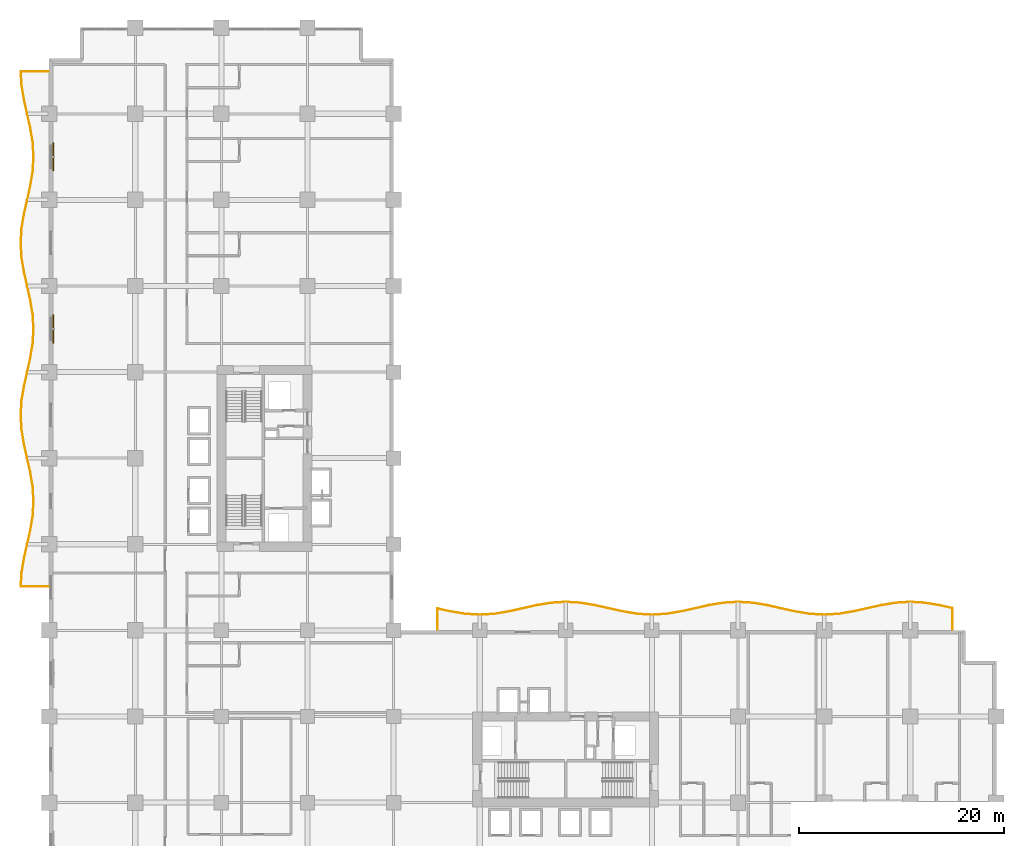
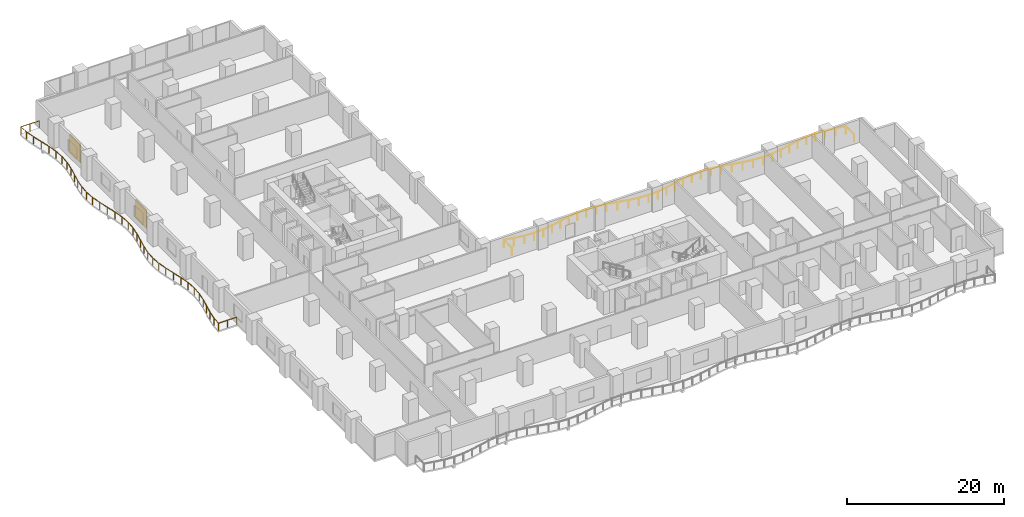
# One storey, part 21 of 21: 2 railings, 2 shading devices.
"""IFC4 building model written with IfcOpenShell, lengths in metres."""

from ifc_helpers import new_model, si_unit, direction, frame, origin, origin_2d, place, context, subcontext, project, spatial, rectangle, circle, extrude, material, layer, layer_set, type_object, element, save


model = new_model("IFC4")

# Units and contexts
model_context = context("Model", 3, precision=1e-05, world=origin(), true_north=direction((0.0, 1.0)))
body_context = subcontext(model_context, "Body", "Model", "MODEL_VIEW")
ifc_project = project(units=[si_unit("LENGTHUNIT", "METRE"), si_unit("AREAUNIT", "SQUARE_METRE"), si_unit("VOLUMEUNIT", "CUBIC_METRE"), si_unit("PLANEANGLEUNIT", "RADIAN"), si_unit("MASSUNIT", "GRAM", prefix="KILO")], contexts=[model_context])

# Site, building, storey
site_placement = place(None, origin())
site = spatial("IfcSite", under=ifc_project, at=site_placement, CompositionType="ELEMENT")
building_placement = place(site_placement, origin())
building = spatial("IfcBuilding", under=site, at=building_placement, Name="Koriwani Terraces Tower", CompositionType="ELEMENT")
storey_placement = place(building_placement, frame((0.0, 0.0, 77.60009765625)))
storey = spatial("IfcBuildingStorey", under=building, at=storey_placement, Name="L18", CompositionType="ELEMENT", Elevation=77.60009765625)

# Railings
ifc_material_1 = material(Name="Steel ASTM A572 Grade 50", Category="steel")
railing_type = type_object("IfcRailingType", Name="GUARD_BALUSTRADE_1150", PredefinedType="BALUSTRADE", material=ifc_material_1)
railing_1_placement = place(storey_placement, frame((-0.080078125, 37.8798828125, 0.0)))
element("IfcRailing", 1, at=railing_1_placement, inside=storey, type_object=railing_type, Name="L18 Balcony Perimeter Safety Balustrade (W)", PredefinedType="BALUSTRADE", context=body_context, shape_type="SweptSolid", body=[
    extrude(circle(Radius=0.02392578125, at=origin_2d()), frame((0.0, 0.0, 1.1259765625), z_axis=(-1.0, 0.0, 0.0), x_axis=(0.0, -1.0, 0.0)), (0.0, 0.0, 1.0), 2.68505859375),
    extrude(circle(Radius=0.02392578125, at=origin_2d()), frame((-2.68505859375, 0.0, 1.1259765625), z_axis=(0.059658953766, 0.998218818314, 0.0), x_axis=(-0.998218818314, 0.059658953766, 0.0)), (0.0, 0.0, 1.0), 1.313720703125),
    extrude(circle(Radius=0.02392578125, at=origin_2d()), frame((-2.606689453125, 1.311279296875, 1.1259765625), z_axis=(0.16131405304, 0.986903124066, 0.0), x_axis=(-0.986903124066, 0.16131405304, 0.0)), (0.0, 0.0, 1.0), 1.412109375),
    extrude(circle(Radius=0.02392578125, at=origin_2d()), frame((-2.37890625, 2.704833984375, 1.1259765625), z_axis=(0.217849413893, 0.975982393728, 0.0), x_axis=(-0.975982393728, 0.217849413893, 0.0)), (0.0, 0.0, 1.0), 2.868896484375),
    extrude(circle(Radius=0.02392578125, at=origin_2d()), frame((-1.75390625, 5.5048828125, 1.1259765625), z_axis=(0.161203411159, 0.986921202645, 0.0), x_axis=(-0.986921202645, 0.161203411159, 0.0)), (0.0, 0.0, 1.0), 1.425048828125),
    extrude(circle(Radius=0.02392578125, at=origin_2d()), frame((-1.524169921875, 6.911376953125, 1.1259765625), z_axis=(0.059685432622, 0.998217235442, 0.0), x_axis=(-0.998217235442, 0.059685432622, 0.0)), (0.0, 0.0, 1.0), 1.4111328125),
    extrude(circle(Radius=0.02392578125, at=origin_2d()), frame((-1.43994140625, 8.320068359375, 1.1259765625), z_axis=(-0.059675127152, 0.998217851573, 0.0), x_axis=(-0.998217851573, -0.059675127152, 0.0)), (0.0, 0.0, 1.0), 1.411376953125),
    extrude(circle(Radius=0.02392578125, at=origin_2d()), frame((-1.524169921875, 9.72900390625, 1.1259765625), z_axis=(-0.161230670401, 0.986916749742, 0.0), x_axis=(-0.986916749742, -0.161230670401, 0.0)), (0.0, 0.0, 1.0), 1.4248046875),
    extrude(circle(Radius=0.02392578125, at=origin_2d()), frame((-1.75390625, 11.13525390625, 1.1259765625), z_axis=(-0.217849413893, 0.975982393728, 0.0), x_axis=(-0.975982393728, -0.217849413893, 0.0)), (0.0, 0.0, 1.0), 2.868896484375),
    extrude(circle(Radius=0.02392578125, at=origin_2d()), frame((-2.37890625, 13.935302734375, 1.1259765625), z_axis=(-0.161286532042, 0.986907622111, 0.0), x_axis=(-0.986907622111, -0.161286532042, 0.0)), (0.0, 0.0, 1.0), 1.412353515625),
    extrude(circle(Radius=0.02392578125, at=origin_2d()), frame((-2.606689453125, 15.3291015625, 1.1259765625), z_axis=(-0.059738678687, 0.998214050326, 0.0), x_axis=(-0.998214050326, -0.059738678687, 0.0)), (0.0, 0.0, 1.0), 1.3935546875),
    extrude(circle(Radius=0.02392578125, at=origin_2d()), frame((-2.68994140625, 16.72021484375, 1.1259765625), z_axis=(0.059738678687, 0.998214050326, 0.0), x_axis=(-0.998214050326, 0.059738678687, 0.0)), (0.0, 0.0, 1.0), 1.3935546875),
    extrude(circle(Radius=0.02392578125, at=origin_2d()), frame((-2.606689453125, 18.111328125, 1.1259765625), z_axis=(0.16131405304, 0.986903124066, 0.0), x_axis=(-0.986903124066, 0.16131405304, 0.0)), (0.0, 0.0, 1.0), 1.412109375),
    extrude(circle(Radius=0.02392578125, at=origin_2d()), frame((-2.37890625, 19.5048828125, 1.1259765625), z_axis=(0.217849413893, 0.975982393728, 0.0), x_axis=(-0.975982393728, 0.217849413893, 0.0)), (0.0, 0.0, 1.0), 2.868896484375),
    extrude(circle(Radius=0.02392578125, at=origin_2d()), frame((-1.75390625, 22.304931640625, 1.1259765625), z_axis=(0.161203411159, 0.986921202645, 0.0), x_axis=(-0.986921202645, 0.161203411159, 0.0)), (0.0, 0.0, 1.0), 1.425048828125),
    extrude(circle(Radius=0.02392578125, at=origin_2d()), frame((-1.524169921875, 23.71142578125, 1.1259765625), z_axis=(0.059685432622, 0.998217235442, 0.0), x_axis=(-0.998217235442, 0.059685432622, 0.0)), (0.0, 0.0, 1.0), 1.4111328125),
    extrude(circle(Radius=0.02392578125, at=origin_2d()), frame((-1.43994140625, 25.1201171875, 1.1259765625), z_axis=(-0.059685432622, 0.998217235442, 0.0), x_axis=(-0.998217235442, -0.059685432622, 0.0)), (0.0, 0.0, 1.0), 1.4111328125),
    extrude(circle(Radius=0.02392578125, at=origin_2d()), frame((-1.524169921875, 26.52880859375, 1.1259765625), z_axis=(-0.161203411159, 0.986921202645, 0.0), x_axis=(-0.986921202645, -0.161203411159, 0.0)), (0.0, 0.0, 1.0), 1.425048828125),
    extrude(circle(Radius=0.02392578125, at=origin_2d()), frame((-1.75390625, 27.935302734375, 1.1259765625), z_axis=(-0.217849413893, 0.975982393728, 0.0), x_axis=(-0.975982393728, -0.217849413893, 0.0)), (0.0, 0.0, 1.0), 2.868896484375),
    extrude(circle(Radius=0.02392578125, at=origin_2d()), frame((-2.37890625, 30.7353515625, 1.1259765625), z_axis=(-0.16131405304, 0.986903124066, 0.0), x_axis=(-0.986903124066, -0.16131405304, 0.0)), (0.0, 0.0, 1.0), 1.412109375),
    extrude(circle(Radius=0.02392578125, at=origin_2d()), frame((-2.606689453125, 32.12890625, 1.1259765625), z_axis=(-0.059738678687, 0.998214050326, 0.0), x_axis=(-0.998214050326, -0.059738678687, 0.0)), (0.0, 0.0, 1.0), 1.3935546875),
    extrude(circle(Radius=0.02392578125, at=origin_2d()), frame((-2.68994140625, 33.52001953125, 1.1259765625), z_axis=(0.059738678687, 0.998214050326, 0.0), x_axis=(-0.998214050326, 0.059738678687, 0.0)), (0.0, 0.0, 1.0), 1.3935546875),
    extrude(circle(Radius=0.02392578125, at=origin_2d()), frame((-2.606689453125, 34.9111328125, 1.1259765625), z_axis=(0.161286532042, 0.986907622111, 0.0), x_axis=(-0.986907622111, 0.161286532042, 0.0)), (0.0, 0.0, 1.0), 1.412353515625),
    extrude(circle(Radius=0.02392578125, at=origin_2d()), frame((-2.37890625, 36.304931640625, 1.1259765625), z_axis=(0.217849413893, 0.975982393728, 0.0), x_axis=(-0.975982393728, 0.217849413893, 0.0)), (0.0, 0.0, 1.0), 2.868896484375),
    extrude(circle(Radius=0.02392578125, at=origin_2d()), frame((-1.75390625, 39.10498046875, 1.1259765625), z_axis=(0.161230670401, 0.986916749742, 0.0), x_axis=(-0.986916749742, 0.161230670401, 0.0)), (0.0, 0.0, 1.0), 1.4248046875),
    extrude(circle(Radius=0.02392578125, at=origin_2d()), frame((-1.524169921875, 40.51123046875, 1.1259765625), z_axis=(0.059675127152, 0.998217851573, 0.0), x_axis=(-0.998217851573, 0.059675127152, 0.0)), (0.0, 0.0, 1.0), 1.411376953125),
    extrude(circle(Radius=0.02392578125, at=origin_2d()), frame((-1.43994140625, 41.920166015625, 1.1259765625), z_axis=(-0.059685432622, 0.998217235442, 0.0), x_axis=(-0.998217235442, -0.059685432622, 0.0)), (0.0, 0.0, 1.0), 1.4111328125),
    extrude(circle(Radius=0.02392578125, at=origin_2d()), frame((-1.524169921875, 43.328857421875, 1.1259765625), z_axis=(-0.161203411159, 0.986921202645, 0.0), x_axis=(-0.986921202645, -0.161203411159, 0.0)), (0.0, 0.0, 1.0), 1.425048828125),
    extrude(circle(Radius=0.02392578125, at=origin_2d()), frame((-1.75390625, 44.7353515625, 1.1259765625), z_axis=(-0.217849413893, 0.975982393728, 0.0), x_axis=(-0.975982393728, -0.217849413893, 0.0)), (0.0, 0.0, 1.0), 2.868896484375),
    extrude(circle(Radius=0.02392578125, at=origin_2d()), frame((-2.37890625, 47.535400390625, 1.1259765625), z_axis=(-0.16131405304, 0.986903124066, 0.0), x_axis=(-0.986903124066, -0.16131405304, 0.0)), (0.0, 0.0, 1.0), 1.412109375),
    extrude(circle(Radius=0.02392578125, at=origin_2d()), frame((-2.606689453125, 48.928955078125, 1.1259765625), z_axis=(-0.059658953766, 0.998218818314, 0.0), x_axis=(-0.998218818314, -0.059658953766, 0.0)), (0.0, 0.0, 1.0), 1.313720703125),
    extrude(circle(Radius=0.02392578125, at=origin_2d()), frame((-2.68505859375, 50.240234375, 1.1259765625), z_axis=(1.0, 0.0, 0.0), x_axis=(0.0, 1.0, 0.0)), (0.0, 0.0, 1.0), 2.68505859375),
    extrude(circle(Radius=0.02099609375, at=origin_2d()), origin(), (0.0, 0.0, 1.0), 1.101806640625),
    extrude(circle(Radius=0.02099609375, at=origin_2d()), frame((-1.342529296875, 0.0, 0.0)), (0.0, 0.0, 1.0), 1.101806640625),
    extrude(circle(Radius=0.02099609375, at=origin_2d()), frame((-2.68505859375, 0.0, 0.0)), (0.0, 0.0, 1.0), 1.101806640625),
    extrude(circle(Radius=0.02099609375, at=origin_2d()), frame((-2.606689453125, 1.311279296875, 0.0)), (0.0, 0.0, 1.0), 1.101806640625),
    extrude(circle(Radius=0.02099609375, at=origin_2d()), frame((-2.37890625, 2.704833984375, 0.0)), (0.0, 0.0, 1.0), 1.101806640625),
    extrude(circle(Radius=0.02099609375, at=origin_2d()), frame((-2.06640625, 4.10498046875, 0.0)), (0.0, 0.0, 1.0), 1.101806640625),
    extrude(circle(Radius=0.02099609375, at=origin_2d()), frame((-1.75390625, 5.5048828125, 0.0)), (0.0, 0.0, 1.0), 1.101806640625),
    extrude(circle(Radius=0.02099609375, at=origin_2d()), frame((-1.524169921875, 6.911376953125, 0.0)), (0.0, 0.0, 1.0), 1.101806640625),
    extrude(circle(Radius=0.02099609375, at=origin_2d()), frame((-1.43994140625, 8.320068359375, 0.0)), (0.0, 0.0, 1.0), 1.101806640625),
    extrude(circle(Radius=0.02099609375, at=origin_2d()), frame((-1.524169921875, 9.72900390625, 0.0)), (0.0, 0.0, 1.0), 1.101806640625),
    extrude(circle(Radius=0.02099609375, at=origin_2d()), frame((-1.75390625, 11.13525390625, 0.0)), (0.0, 0.0, 1.0), 1.101806640625),
    extrude(circle(Radius=0.02099609375, at=origin_2d()), frame((-2.06640625, 12.53515625, 0.0)), (0.0, 0.0, 1.0), 1.101806640625),
    extrude(circle(Radius=0.02099609375, at=origin_2d()), frame((-2.37890625, 13.935302734375, 0.0)), (0.0, 0.0, 1.0), 1.101806640625),
    extrude(circle(Radius=0.02099609375, at=origin_2d()), frame((-2.606689453125, 15.3291015625, 0.0)), (0.0, 0.0, 1.0), 1.101806640625),
    extrude(circle(Radius=0.02099609375, at=origin_2d()), frame((-2.68994140625, 16.72021484375, 0.0)), (0.0, 0.0, 1.0), 1.101806640625),
    extrude(circle(Radius=0.02099609375, at=origin_2d()), frame((-2.606689453125, 18.111328125, 0.0)), (0.0, 0.0, 1.0), 1.101806640625),
    extrude(circle(Radius=0.02099609375, at=origin_2d()), frame((-2.37890625, 19.5048828125, 0.0)), (0.0, 0.0, 1.0), 1.101806640625),
    extrude(circle(Radius=0.02099609375, at=origin_2d()), frame((-2.06640625, 20.90478515625, 0.0)), (0.0, 0.0, 1.0), 1.101806640625),
    extrude(circle(Radius=0.02099609375, at=origin_2d()), frame((-1.75390625, 22.304931640625, 0.0)), (0.0, 0.0, 1.0), 1.101806640625),
    extrude(circle(Radius=0.02099609375, at=origin_2d()), frame((-1.524169921875, 23.71142578125, 0.0)), (0.0, 0.0, 1.0), 1.101806640625),
    extrude(circle(Radius=0.02099609375, at=origin_2d()), frame((-1.43994140625, 25.1201171875, 0.0)), (0.0, 0.0, 1.0), 1.101806640625),
    extrude(circle(Radius=0.02099609375, at=origin_2d()), frame((-1.524169921875, 26.52880859375, 0.0)), (0.0, 0.0, 1.0), 1.101806640625),
    extrude(circle(Radius=0.02099609375, at=origin_2d()), frame((-1.75390625, 27.935302734375, 0.0)), (0.0, 0.0, 1.0), 1.101806640625),
    extrude(circle(Radius=0.02099609375, at=origin_2d()), frame((-2.06640625, 29.33544921875, 0.0)), (0.0, 0.0, 1.0), 1.101806640625),
    extrude(circle(Radius=0.02099609375, at=origin_2d()), frame((-2.37890625, 30.7353515625, 0.0)), (0.0, 0.0, 1.0), 1.101806640625),
    extrude(circle(Radius=0.02099609375, at=origin_2d()), frame((-2.606689453125, 32.12890625, 0.0)), (0.0, 0.0, 1.0), 1.101806640625),
    extrude(circle(Radius=0.02099609375, at=origin_2d()), frame((-2.68994140625, 33.52001953125, 0.0)), (0.0, 0.0, 1.0), 1.101806640625),
    extrude(circle(Radius=0.02099609375, at=origin_2d()), frame((-2.606689453125, 34.9111328125, 0.0)), (0.0, 0.0, 1.0), 1.101806640625),
    extrude(circle(Radius=0.02099609375, at=origin_2d()), frame((-2.37890625, 36.304931640625, 0.0)), (0.0, 0.0, 1.0), 1.101806640625),
    extrude(circle(Radius=0.02099609375, at=origin_2d()), frame((-2.06640625, 37.705078125, 0.0)), (0.0, 0.0, 1.0), 1.101806640625),
    extrude(circle(Radius=0.02099609375, at=origin_2d()), frame((-1.75390625, 39.10498046875, 0.0)), (0.0, 0.0, 1.0), 1.101806640625),
    extrude(circle(Radius=0.02099609375, at=origin_2d()), frame((-1.524169921875, 40.51123046875, 0.0)), (0.0, 0.0, 1.0), 1.101806640625),
    extrude(circle(Radius=0.02099609375, at=origin_2d()), frame((-1.43994140625, 41.920166015625, 0.0)), (0.0, 0.0, 1.0), 1.101806640625),
    extrude(circle(Radius=0.02099609375, at=origin_2d()), frame((-1.524169921875, 43.328857421875, 0.0)), (0.0, 0.0, 1.0), 1.101806640625),
    extrude(circle(Radius=0.02099609375, at=origin_2d()), frame((-1.75390625, 44.7353515625, 0.0)), (0.0, 0.0, 1.0), 1.101806640625),
    extrude(circle(Radius=0.02099609375, at=origin_2d()), frame((-2.06640625, 46.13525390625, 0.0)), (0.0, 0.0, 1.0), 1.101806640625),
    extrude(circle(Radius=0.02099609375, at=origin_2d()), frame((-2.37890625, 47.535400390625, 0.0)), (0.0, 0.0, 1.0), 1.101806640625),
    extrude(circle(Radius=0.02099609375, at=origin_2d()), frame((-2.606689453125, 48.928955078125, 0.0)), (0.0, 0.0, 1.0), 1.101806640625),
    extrude(circle(Radius=0.02099609375, at=origin_2d()), frame((-2.68505859375, 50.240234375, 0.0)), (0.0, 0.0, 1.0), 1.101806640625),
    extrude(circle(Radius=0.02099609375, at=origin_2d()), frame((-1.342529296875, 50.240234375, 0.0)), (0.0, 0.0, 1.0), 1.101806640625),
    extrude(circle(Radius=0.02099609375, at=origin_2d()), frame((0.0, 50.240234375, 0.0)), (0.0, 0.0, 1.0), 1.101806640625),
])
railing_2_placement = place(storey_placement, frame((88.1201171875, 33.679931640625, 0.0)))
element("IfcRailing", 2, at=railing_2_placement, inside=storey, type_object=railing_type, Name="L18 Balcony Perimeter Safety Balustrade (NE)", PredefinedType="BALUSTRADE", context=body_context, shape_type="SweptSolid", body=[
    extrude(circle(Radius=0.02392578125, at=origin_2d()), frame((0.0, 0.0, 1.1259765625), z_axis=(0.0, 1.0, 0.0), x_axis=(-1.0, 0.0, 0.0)), (0.0, 0.0, 1.0), 2.0810546875),
    extrude(circle(Radius=0.02392578125, at=origin_2d()), frame((0.0, 2.0810546875, 1.1259765625), z_axis=(-0.976010374822, 0.217724018519, 0.0), x_axis=(-0.217724018519, -0.976010374822, 0.0)), (0.0, 0.0, 1.0), 1.367919921875),
    extrude(circle(Radius=0.02392578125, at=origin_2d()), frame((-1.335205078125, 2.37890625, 1.1259765625), z_axis=(-0.986907622111, 0.161286532042, 0.0), x_axis=(-0.161286532042, -0.986907622111, 0.0)), (0.0, 0.0, 1.0), 1.412353515625),
    extrude(circle(Radius=0.02392578125, at=origin_2d()), frame((-2.72900390625, 2.606689453125, 1.1259765625), z_axis=(-0.998214050326, 0.059738678687, 0.0), x_axis=(-0.059738678687, -0.998214050326, 0.0)), (0.0, 0.0, 1.0), 1.3935546875),
    extrude(circle(Radius=0.02392578125, at=origin_2d()), frame((-4.1201171875, 2.68994140625, 1.1259765625), z_axis=(-0.998214050326, -0.059738678687, 0.0), x_axis=(0.059738678687, -0.998214050326, 0.0)), (0.0, 0.0, 1.0), 1.3935546875),
    extrude(circle(Radius=0.02392578125, at=origin_2d()), frame((-5.51123046875, 2.606689453125, 1.1259765625), z_axis=(-0.986907622111, -0.161286532042, 0.0), x_axis=(0.161286532042, -0.986907622111, 0.0)), (0.0, 0.0, 1.0), 1.412353515625),
    extrude(circle(Radius=0.02392578125, at=origin_2d()), frame((-6.905029296875, 2.37890625, 1.1259765625), z_axis=(-0.975996447715, -0.217786441376, 0.0), x_axis=(0.217786441376, -0.975996447715, 0.0)), (0.0, 0.0, 1.0), 2.86865234375),
    extrude(circle(Radius=0.02392578125, at=origin_2d()), frame((-9.704833984375, 1.754150390625, 1.1259765625), z_axis=(-0.986921202645, -0.161203411159, 0.0), x_axis=(0.161203411159, -0.986921202645, 0.0)), (0.0, 0.0, 1.0), 1.425048828125),
    extrude(circle(Radius=0.02392578125, at=origin_2d()), frame((-11.111328125, 1.5244140625, 1.1259765625), z_axis=(-0.998217235442, -0.059685432622, 0.0), x_axis=(0.059685432622, -0.998217235442, 0.0)), (0.0, 0.0, 1.0), 1.4111328125),
    extrude(circle(Radius=0.02392578125, at=origin_2d()), frame((-12.52001953125, 1.440185546875, 1.1259765625), z_axis=(-0.998217851573, 0.059675127152, 0.0), x_axis=(-0.059675127152, -0.998217851573, 0.0)), (0.0, 0.0, 1.0), 1.411376953125),
    extrude(circle(Radius=0.02392578125, at=origin_2d()), frame((-13.928955078125, 1.5244140625, 1.1259765625), z_axis=(-0.986916749742, 0.161230670401, 0.0), x_axis=(-0.161230670401, -0.986916749742, 0.0)), (0.0, 0.0, 1.0), 1.4248046875),
    extrude(circle(Radius=0.02392578125, at=origin_2d()), frame((-15.335205078125, 1.754150390625, 1.1259765625), z_axis=(-0.976000483873, 0.217768352797, 0.0), x_axis=(-0.217768352797, -0.976000483873, 0.0)), (0.0, 0.0, 1.0), 2.868896484375),
    extrude(circle(Radius=0.02392578125, at=origin_2d()), frame((-18.13525390625, 2.37890625, 1.1259765625), z_axis=(-0.986907622111, 0.161286532042, 0.0), x_axis=(-0.161286532042, -0.986907622111, 0.0)), (0.0, 0.0, 1.0), 1.412353515625),
    extrude(circle(Radius=0.02392578125, at=origin_2d()), frame((-19.529052734375, 2.606689453125, 1.1259765625), z_axis=(-0.998214050326, 0.059738678687, 0.0), x_axis=(-0.059738678687, -0.998214050326, 0.0)), (0.0, 0.0, 1.0), 1.3935546875),
    extrude(circle(Radius=0.02392578125, at=origin_2d()), frame((-20.920166015625, 2.68994140625, 1.1259765625), z_axis=(-0.998214050326, -0.059738678687, 0.0), x_axis=(0.059738678687, -0.998214050326, 0.0)), (0.0, 0.0, 1.0), 1.3935546875),
    extrude(circle(Radius=0.02392578125, at=origin_2d()), frame((-22.311279296875, 2.606689453125, 1.1259765625), z_axis=(-0.986903124066, -0.16131405304, 0.0), x_axis=(0.16131405304, -0.986903124066, 0.0)), (0.0, 0.0, 1.0), 1.412109375),
    extrude(circle(Radius=0.02392578125, at=origin_2d()), frame((-23.704833984375, 2.37890625, 1.1259765625), z_axis=(-0.976000483873, -0.217768352797, 0.0), x_axis=(0.217768352797, -0.976000483873, 0.0)), (0.0, 0.0, 1.0), 2.868896484375),
    extrude(circle(Radius=0.02392578125, at=origin_2d()), frame((-26.5048828125, 1.754150390625, 1.1259765625), z_axis=(-0.986921202645, -0.161203411159, 0.0), x_axis=(0.161203411159, -0.986921202645, 0.0)), (0.0, 0.0, 1.0), 1.425048828125),
    extrude(circle(Radius=0.02392578125, at=origin_2d()), frame((-27.911376953125, 1.5244140625, 1.1259765625), z_axis=(-0.998217235442, -0.059685432622, 0.0), x_axis=(0.059685432622, -0.998217235442, 0.0)), (0.0, 0.0, 1.0), 1.4111328125),
    extrude(circle(Radius=0.02392578125, at=origin_2d()), frame((-29.320068359375, 1.440185546875, 1.1259765625), z_axis=(-0.998217851573, 0.059675127152, 0.0), x_axis=(-0.059675127152, -0.998217851573, 0.0)), (0.0, 0.0, 1.0), 1.411376953125),
    extrude(circle(Radius=0.02392578125, at=origin_2d()), frame((-30.72900390625, 1.5244140625, 1.1259765625), z_axis=(-0.986916749742, 0.161230670401, 0.0), x_axis=(-0.161230670401, -0.986916749742, 0.0)), (0.0, 0.0, 1.0), 1.4248046875),
    extrude(circle(Radius=0.02392578125, at=origin_2d()), frame((-32.13525390625, 1.754150390625, 1.1259765625), z_axis=(-0.976000483873, 0.217768352797, 0.0), x_axis=(-0.217768352797, -0.976000483873, 0.0)), (0.0, 0.0, 1.0), 2.868896484375),
    extrude(circle(Radius=0.02392578125, at=origin_2d()), frame((-34.935302734375, 2.37890625, 1.1259765625), z_axis=(-0.986907622111, 0.161286532042, 0.0), x_axis=(-0.161286532042, -0.986907622111, 0.0)), (0.0, 0.0, 1.0), 1.412353515625),
    extrude(circle(Radius=0.02392578125, at=origin_2d()), frame((-36.3291015625, 2.606689453125, 1.1259765625), z_axis=(-0.998214050326, 0.059738678687, 0.0), x_axis=(-0.059738678687, -0.998214050326, 0.0)), (0.0, 0.0, 1.0), 1.3935546875),
    extrude(circle(Radius=0.02392578125, at=origin_2d()), frame((-37.72021484375, 2.68994140625, 1.1259765625), z_axis=(-0.998214050326, -0.059738678687, 0.0), x_axis=(0.059738678687, -0.998214050326, 0.0)), (0.0, 0.0, 1.0), 1.3935546875),
    extrude(circle(Radius=0.02392578125, at=origin_2d()), frame((-39.111328125, 2.606689453125, 1.1259765625), z_axis=(-0.986903124066, -0.16131405304, 0.0), x_axis=(0.16131405304, -0.986903124066, 0.0)), (0.0, 0.0, 1.0), 1.412109375),
    extrude(circle(Radius=0.02392578125, at=origin_2d()), frame((-40.5048828125, 2.37890625, 1.1259765625), z_axis=(-0.976000483873, -0.217768352797, 0.0), x_axis=(0.217768352797, -0.976000483873, 0.0)), (0.0, 0.0, 1.0), 2.868896484375),
    extrude(circle(Radius=0.02392578125, at=origin_2d()), frame((-43.304931640625, 1.754150390625, 1.1259765625), z_axis=(-0.986921202645, -0.161203411159, 0.0), x_axis=(0.161203411159, -0.986921202645, 0.0)), (0.0, 0.0, 1.0), 1.425048828125),
    extrude(circle(Radius=0.02392578125, at=origin_2d()), frame((-44.71142578125, 1.5244140625, 1.1259765625), z_axis=(-0.998217235442, -0.059685432622, 0.0), x_axis=(0.059685432622, -0.998217235442, 0.0)), (0.0, 0.0, 1.0), 1.4111328125),
    extrude(circle(Radius=0.02392578125, at=origin_2d()), frame((-46.1201171875, 1.440185546875, 1.1259765625), z_axis=(-0.998217235442, 0.059685432622, 0.0), x_axis=(-0.059685432622, -0.998217235442, 0.0)), (0.0, 0.0, 1.0), 1.4111328125),
    extrude(circle(Radius=0.02392578125, at=origin_2d()), frame((-47.52880859375, 1.5244140625, 1.1259765625), z_axis=(-0.986921202645, 0.161203411159, 0.0), x_axis=(-0.161203411159, -0.986921202645, 0.0)), (0.0, 0.0, 1.0), 1.425048828125),
    extrude(circle(Radius=0.02392578125, at=origin_2d()), frame((-48.935302734375, 1.754150390625, 1.1259765625), z_axis=(-0.976023513378, 0.217665112806, 0.0), x_axis=(-0.217665112806, -0.976023513378, 0.0)), (0.0, 0.0, 1.0), 1.3369140625),
    extrude(circle(Radius=0.02392578125, at=origin_2d()), frame((-50.240234375, 2.045166015625, 1.1259765625), z_axis=(0.0, -1.0, 0.0), x_axis=(1.0, 0.0, 0.0)), (0.0, 0.0, 1.0), 2.045166015625),
    extrude(circle(Radius=0.02099609375, at=origin_2d()), origin(), (0.0, 0.0, 1.0), 1.101806640625),
    extrude(circle(Radius=0.02099609375, at=origin_2d()), frame((0.0, 2.0810546875, 0.0)), (0.0, 0.0, 1.0), 1.101806640625),
    extrude(circle(Radius=0.02099609375, at=origin_2d()), frame((-1.335205078125, 2.37890625, 0.0)), (0.0, 0.0, 1.0), 1.101806640625),
    extrude(circle(Radius=0.02099609375, at=origin_2d()), frame((-2.72900390625, 2.606689453125, 0.0)), (0.0, 0.0, 1.0), 1.101806640625),
    extrude(circle(Radius=0.02099609375, at=origin_2d()), frame((-4.1201171875, 2.68994140625, 0.0)), (0.0, 0.0, 1.0), 1.101806640625),
    extrude(circle(Radius=0.02099609375, at=origin_2d()), frame((-5.51123046875, 2.606689453125, 0.0)), (0.0, 0.0, 1.0), 1.101806640625),
    extrude(circle(Radius=0.02099609375, at=origin_2d()), frame((-6.905029296875, 2.37890625, 0.0)), (0.0, 0.0, 1.0), 1.101806640625),
    extrude(circle(Radius=0.02099609375, at=origin_2d()), frame((-8.304931640625, 2.06640625, 0.0)), (0.0, 0.0, 1.0), 1.101806640625),
    extrude(circle(Radius=0.02099609375, at=origin_2d()), frame((-9.704833984375, 1.754150390625, 0.0)), (0.0, 0.0, 1.0), 1.101806640625),
    extrude(circle(Radius=0.02099609375, at=origin_2d()), frame((-11.111328125, 1.5244140625, 0.0)), (0.0, 0.0, 1.0), 1.101806640625),
    extrude(circle(Radius=0.02099609375, at=origin_2d()), frame((-12.52001953125, 1.440185546875, 0.0)), (0.0, 0.0, 1.0), 1.101806640625),
    extrude(circle(Radius=0.02099609375, at=origin_2d()), frame((-13.928955078125, 1.5244140625, 0.0)), (0.0, 0.0, 1.0), 1.101806640625),
    extrude(circle(Radius=0.02099609375, at=origin_2d()), frame((-15.335205078125, 1.754150390625, 0.0)), (0.0, 0.0, 1.0), 1.101806640625),
    extrude(circle(Radius=0.02099609375, at=origin_2d()), frame((-16.7353515625, 2.06640625, 0.0)), (0.0, 0.0, 1.0), 1.101806640625),
    extrude(circle(Radius=0.02099609375, at=origin_2d()), frame((-18.13525390625, 2.37890625, 0.0)), (0.0, 0.0, 1.0), 1.101806640625),
    extrude(circle(Radius=0.02099609375, at=origin_2d()), frame((-19.529052734375, 2.606689453125, 0.0)), (0.0, 0.0, 1.0), 1.101806640625),
    extrude(circle(Radius=0.02099609375, at=origin_2d()), frame((-20.920166015625, 2.68994140625, 0.0)), (0.0, 0.0, 1.0), 1.101806640625),
    extrude(circle(Radius=0.02099609375, at=origin_2d()), frame((-22.311279296875, 2.606689453125, 0.0)), (0.0, 0.0, 1.0), 1.101806640625),
    extrude(circle(Radius=0.02099609375, at=origin_2d()), frame((-23.704833984375, 2.37890625, 0.0)), (0.0, 0.0, 1.0), 1.101806640625),
    extrude(circle(Radius=0.02099609375, at=origin_2d()), frame((-25.10498046875, 2.06640625, 0.0)), (0.0, 0.0, 1.0), 1.101806640625),
    extrude(circle(Radius=0.02099609375, at=origin_2d()), frame((-26.5048828125, 1.754150390625, 0.0)), (0.0, 0.0, 1.0), 1.101806640625),
    extrude(circle(Radius=0.02099609375, at=origin_2d()), frame((-27.911376953125, 1.5244140625, 0.0)), (0.0, 0.0, 1.0), 1.101806640625),
    extrude(circle(Radius=0.02099609375, at=origin_2d()), frame((-29.320068359375, 1.440185546875, 0.0)), (0.0, 0.0, 1.0), 1.101806640625),
    extrude(circle(Radius=0.02099609375, at=origin_2d()), frame((-30.72900390625, 1.5244140625, 0.0)), (0.0, 0.0, 1.0), 1.101806640625),
    extrude(circle(Radius=0.02099609375, at=origin_2d()), frame((-32.13525390625, 1.754150390625, 0.0)), (0.0, 0.0, 1.0), 1.101806640625),
    extrude(circle(Radius=0.02099609375, at=origin_2d()), frame((-33.53515625, 2.06640625, 0.0)), (0.0, 0.0, 1.0), 1.101806640625),
    extrude(circle(Radius=0.02099609375, at=origin_2d()), frame((-34.935302734375, 2.37890625, 0.0)), (0.0, 0.0, 1.0), 1.101806640625),
    extrude(circle(Radius=0.02099609375, at=origin_2d()), frame((-36.3291015625, 2.606689453125, 0.0)), (0.0, 0.0, 1.0), 1.101806640625),
    extrude(circle(Radius=0.02099609375, at=origin_2d()), frame((-37.72021484375, 2.68994140625, 0.0)), (0.0, 0.0, 1.0), 1.101806640625),
    extrude(circle(Radius=0.02099609375, at=origin_2d()), frame((-39.111328125, 2.606689453125, 0.0)), (0.0, 0.0, 1.0), 1.101806640625),
    extrude(circle(Radius=0.02099609375, at=origin_2d()), frame((-40.5048828125, 2.37890625, 0.0)), (0.0, 0.0, 1.0), 1.101806640625),
    extrude(circle(Radius=0.02099609375, at=origin_2d()), frame((-41.90478515625, 2.06640625, 0.0)), (0.0, 0.0, 1.0), 1.101806640625),
    extrude(circle(Radius=0.02099609375, at=origin_2d()), frame((-43.304931640625, 1.754150390625, 0.0)), (0.0, 0.0, 1.0), 1.101806640625),
    extrude(circle(Radius=0.02099609375, at=origin_2d()), frame((-44.71142578125, 1.5244140625, 0.0)), (0.0, 0.0, 1.0), 1.101806640625),
    extrude(circle(Radius=0.02099609375, at=origin_2d()), frame((-46.1201171875, 1.440185546875, 0.0)), (0.0, 0.0, 1.0), 1.101806640625),
    extrude(circle(Radius=0.02099609375, at=origin_2d()), frame((-47.52880859375, 1.5244140625, 0.0)), (0.0, 0.0, 1.0), 1.101806640625),
    extrude(circle(Radius=0.02099609375, at=origin_2d()), frame((-48.935302734375, 1.754150390625, 0.0)), (0.0, 0.0, 1.0), 1.101806640625),
    extrude(circle(Radius=0.02099609375, at=origin_2d()), frame((-50.240234375, 2.045166015625, 0.0)), (0.0, 0.0, 1.0), 1.101806640625),
    extrude(circle(Radius=0.02099609375, at=origin_2d()), frame((-50.240234375, 0.0, 0.0)), (0.0, 0.0, 1.0), 1.101806640625),
])

# Shading devices
ifc_material_2 = material(Name="Extruded Terracotta Clay", Category="masonry")
ifc_layer = layer(ifc_material_2, 0.1201171875, Name="Extruded Terracotta Clay")
ifc_layer_set = layer_set([ifc_layer], Name="Extruded Terracotta Clay")
shading_device_type = type_object("IfcShadingDeviceType", Name="TERRACOTTA_BAGUETTE_SCREEN_2800", PredefinedType="USERDEFINED", material=ifc_layer_set)
for number, where, z_axis, x_axis, name in (
    (3, (0.405029296875, 63.0, 0.324951171875), (0.0, 0.0, 1.0), (0.0, 1.0, 0.0), "L18 Extruded Terracotta Baguette Screen (W-21)"),
    (4, (0.405029296875, 79.800048828125, 0.324951171875), (0.0, 0.0, 1.0), (0.0, 1.0, 0.0), "L18 Extruded Terracotta Baguette Screen (W-27)"),
):
    element("IfcShadingDevice", number, at=place(storey_placement, frame(where, z_axis=z_axis, x_axis=x_axis)), inside=storey, type_object=shading_device_type, Name=name, ObjectType="BAGUETTE", PredefinedType="USERDEFINED", context=body_context, shape_type="SweptSolid", body=[
        extrude(rectangle(XDim=2.760009765625, YDim=0.1201171875, at=origin_2d()), origin(), (0.0, 0.0, 1.0), 2.89990234375),
    ])

save(model, "model.ifc")
